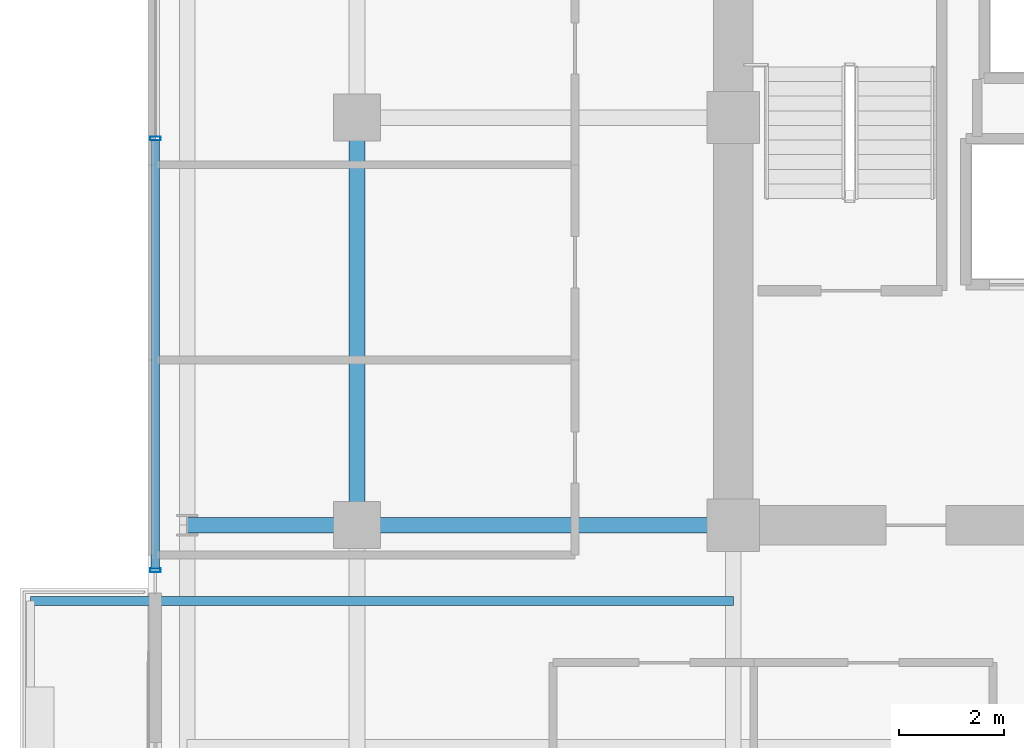
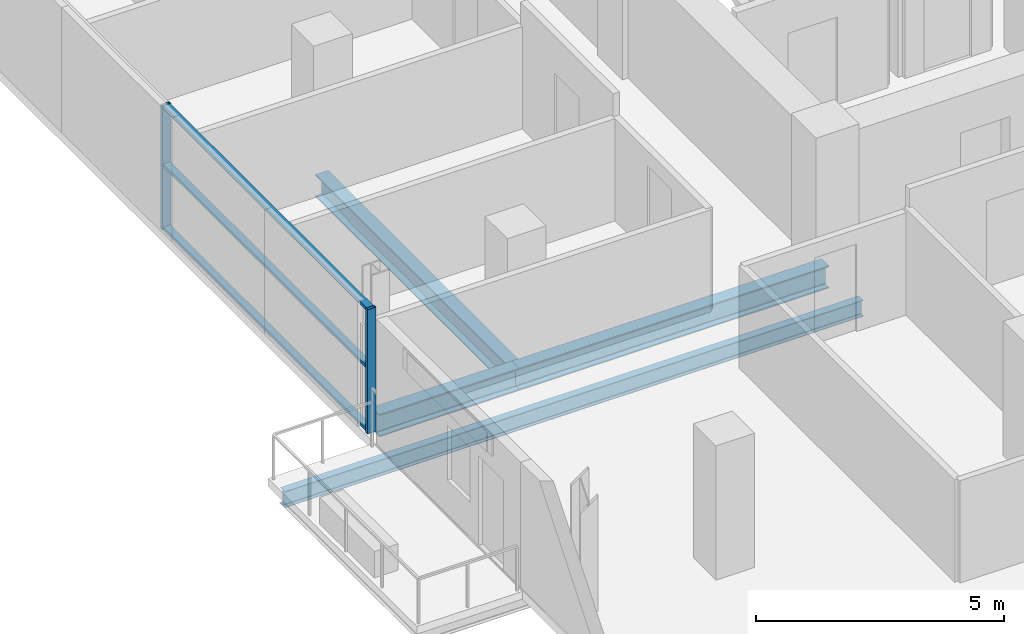
# One storey, part 5 of 23: 5 members, 4 beams, 1 element without a shape of its own.
"""IFC4 building model written with IfcOpenShell, lengths in metres."""

from ifc_helpers import new_model, si_unit, direction, frame, origin, origin_2d, place, context, subcontext, project, spatial, hollow_rectangle, i_section, extrude, source, transform, mapped, material, layer, layer_set, material_profile, profile_set, type_object, element, aggregate, save


model = new_model("IFC4")

# Units and contexts
model_context = context("Model", 3, precision=1e-05, world=origin(), true_north=direction((0.0, 1.0)))
body_context = subcontext(model_context, "Body", "Model", "MODEL_VIEW")
ifc_project = project(units=[si_unit("LENGTHUNIT", "METRE"), si_unit("AREAUNIT", "SQUARE_METRE"), si_unit("VOLUMEUNIT", "CUBIC_METRE"), si_unit("PLANEANGLEUNIT", "RADIAN"), si_unit("MASSUNIT", "GRAM", prefix="KILO")], contexts=[model_context])

# Site, building, storey
site_placement = place(None, origin())
site = spatial("IfcSite", under=ifc_project, at=site_placement, CompositionType="ELEMENT")
building_placement = place(site_placement, origin())
building = spatial("IfcBuilding", under=site, at=building_placement, Name="Zarnakvel Exchange Tower", CompositionType="ELEMENT")
storey_placement = place(building_placement, frame((0.0, 0.0, 116.5)))
storey = spatial("IfcBuildingStorey", under=building, at=storey_placement, Name="L32", CompositionType="ELEMENT", Elevation=116.5)

# Beams
ifc_material_1 = material(Name="Steel S355", Category="steel")
ifc_material_profile_1 = material_profile(ifc_material_1, i_section(OverallWidth=0.179931640625, OverallDepth=0.39990234375, WebThickness=0.008544921875, FlangeThickness=0.013427734375, FilletRadius=0.02099609375, at=origin_2d()))
ifc_profile_set_1 = profile_set([ifc_material_profile_1], Name="Steel S355")
beam_type_1 = type_object("IfcBeamType", Name="B-06", PredefinedType="JOIST", material=ifc_profile_set_1)
beam_1_placement = place(storey_placement, frame((-14.39990234375, -2.64990234375, -0.425048828125), z_axis=(-1.0, 0.0, 0.0), x_axis=(0.0, -1.0, 0.0)))
element("IfcBeam", 1, at=beam_1_placement, inside=storey, type_object=beam_type_1, Name="L32 Continuous West Loggia Beam N", PredefinedType="JOIST", context=body_context, shape_type="SweptSolid", body=[
    extrude(i_section(OverallWidth=0.179931640625, OverallDepth=0.39990234375, WebThickness=0.008544921875, FlangeThickness=0.013427734375, FilletRadius=0.02099609375, at=origin_2d()), origin(), (0.0, 0.0, 1.0), 13.4501953125),
])
ifc_material_profile_2 = material_profile(ifc_material_1, i_section(OverallWidth=0.300048828125, OverallDepth=0.550048828125, WebThickness=0.014892578125, FlangeThickness=0.029052734375, FilletRadius=0.027099609375, at=origin_2d()))
ifc_profile_set_2 = profile_set([ifc_material_profile_2], Name="Steel S355")
beam_type_2 = type_object("IfcBeamType", Name="G-05", PredefinedType="BEAM", material=ifc_profile_set_2)
beam_2_placement = place(storey_placement, frame((-24.85009765625, -1.199951171875, -0.5), z_axis=(1.0, 0.0, 0.0), x_axis=(0.0, 1.0, 0.0)))
element("IfcBeam", 2, at=beam_2_placement, inside=storey, type_object=beam_type_2, Name="L32 Tower E-W Frame Beam", PredefinedType="BEAM", context=body_context, shape_type="SweptSolid", body=[
    extrude(i_section(OverallWidth=0.300048828125, OverallDepth=0.550048828125, WebThickness=0.014892578125, FlangeThickness=0.029052734375, FilletRadius=0.027099609375, at=origin_2d()), origin(), (0.0, 0.0, 1.0), 3.25),
])
beam_3_placement = place(storey_placement, frame((-21.60009765625, -1.199951171875, -0.5), z_axis=(1.0, 0.0, 0.0), x_axis=(0.0, 1.0, 0.0)))
element("IfcBeam", 3, at=beam_3_placement, inside=storey, type_object=beam_type_2, Name="L32 Tower E-W Frame Beam", PredefinedType="BEAM", context=body_context, shape_type="SweptSolid", body=[
    extrude(i_section(OverallWidth=0.300048828125, OverallDepth=0.550048828125, WebThickness=0.014892578125, FlangeThickness=0.029052734375, FilletRadius=0.027099609375, at=origin_2d()), origin(), (0.0, 0.0, 1.0), 7.2001953125),
])
beam_4_placement = place(storey_placement, frame((-21.60009765625, -1.199951171875, -0.5), z_axis=(0.0, 1.0, 0.0), x_axis=(-1.0, 0.0, 0.0)))
element("IfcBeam", 4, at=beam_4_placement, inside=storey, type_object=beam_type_2, Name="L32 Tower N-S Frame Beam", PredefinedType="BEAM", context=body_context, shape_type="SweptSolid", body=[
    extrude(i_section(OverallWidth=0.300048828125, OverallDepth=0.550048828125, WebThickness=0.014892578125, FlangeThickness=0.029052734375, FilletRadius=0.027099609375, at=origin_2d()), origin(), (0.0, 0.0, 1.0), 7.800048828125),
])

# Curtain wall, members
ifc_material_2 = material(Name="Architectural Bronze Anodised Aluminium", Category="aluminium")
ifc_layer = layer(ifc_material_2, 0.199951171875)
ifc_layer_set = layer_set([ifc_layer], Name="Architectural Bronze Anodised Aluminium")
curtain_wall_type = type_object("IfcCurtainWallType", Name="CW-04", PredefinedType="NOTDEFINED", material=ifc_layer_set)
curtain_wall_placement = place(storey_placement, origin())
curtain_wall = element("IfcCurtainWall", 5, at=curtain_wall_placement, inside=storey, type_object=curtain_wall_type, Name="L32 Curtain Wall CW-L32-WN (CW-04)", PredefinedType="NOTDEFINED")
ifc_material_profile_3 = material_profile(ifc_material_2, hollow_rectangle(XDim=0.199951171875, YDim=0.074951171875, WallThickness=0.0048828125, at=origin_2d()))
ifc_profile_set_3 = profile_set([ifc_material_profile_3], Name="Architectural Bronze Anodised Aluminium")
member_type_1 = type_object("IfcMemberType", Name="CWM-04", PredefinedType="MULLION", material=ifc_profile_set_3)
shared_shape_1 = source(origin(), body_context, "Body", "SweptSolid", [
    extrude(hollow_rectangle(XDim=0.199951171875, YDim=0.074951171875, WallThickness=0.0048828125, at=origin_2d()), origin(), (0.0, 0.0, 1.0), 3.054931640625),
])
member_1_placement = place(storey_placement, frame((-25.4599609375, -2.0625, 0.0), z_axis=(0.0, 0.0, 1.0), x_axis=(-1.0, 0.0, 0.0)))
member_1 = element("IfcMember", 6, at=member_1_placement, type_object=member_type_1, Name="CW-04 mullion 1", PredefinedType="MULLION", context=body_context, shape_type="MappedRepresentation", body=[
    mapped(shared_shape_1, transform((0.0, 0.0, 0.0), x_axis=(1.0, 0.0, 0.0), y_axis=(0.0, 1.0, 0.0), z_axis=(0.0, 0.0, 1.0), scale=1.0)),
])
member_2_placement = place(storey_placement, frame((-25.4599609375, 6.199951171875, 0.0), z_axis=(0.0, 0.0, 1.0), x_axis=(-1.0, 0.0, 0.0)))
member_2 = element("IfcMember", 7, at=member_2_placement, type_object=member_type_1, Name="CW-04 mullion 2", PredefinedType="MULLION", context=body_context, shape_type="MappedRepresentation", body=[
    mapped(shared_shape_1, transform((0.0, 0.0, 0.0), x_axis=(1.0, 0.0, 0.0), y_axis=(0.0, 1.0, 0.0), z_axis=(0.0, 0.0, 1.0), scale=1.0)),
])
ifc_material_profile_4 = material_profile(ifc_material_2, hollow_rectangle(XDim=0.159912109375, YDim=0.074951171875, WallThickness=0.00390625, at=origin_2d()))
ifc_profile_set_4 = profile_set([ifc_material_profile_4], Name="Architectural Bronze Anodised Aluminium")
member_type_2 = type_object("IfcMemberType", Name="CWT-04", PredefinedType="USERDEFINED", material=ifc_profile_set_4)
shared_shape_2 = source(origin(), body_context, "Body", "SweptSolid", [
    extrude(hollow_rectangle(XDim=0.159912109375, YDim=0.074951171875, WallThickness=0.00390625, at=origin_2d()), origin(), (0.0, 0.0, 1.0), 8.1875),
])
member_3_placement = place(storey_placement, frame((-25.4599609375, -2.02490234375, 0.03759765625), z_axis=(0.0, 1.0, 0.0), x_axis=(-1.0, 0.0, 0.0)))
member_3 = element("IfcMember", 8, at=member_3_placement, type_object=member_type_2, Name="CW-04 transom 1.1", ObjectType="TRANSOM", PredefinedType="USERDEFINED", context=body_context, shape_type="MappedRepresentation", body=[
    mapped(shared_shape_2, transform((0.0, 0.0, 0.0), x_axis=(1.0, 0.0, 0.0), y_axis=(0.0, 1.0, 0.0), z_axis=(0.0, 0.0, 1.0), scale=1.0)),
])
member_4_placement = place(storey_placement, frame((-25.4599609375, -2.02490234375, 1.588623046875), z_axis=(0.0, 1.0, 0.0), x_axis=(-1.0, 0.0, 0.0)))
member_4 = element("IfcMember", 9, at=member_4_placement, type_object=member_type_2, Name="CW-04 transom 1.2", ObjectType="TRANSOM", PredefinedType="USERDEFINED", context=body_context, shape_type="MappedRepresentation", body=[
    mapped(shared_shape_2, transform((0.0, 0.0, 0.0), x_axis=(1.0, 0.0, 0.0), y_axis=(0.0, 1.0, 0.0), z_axis=(0.0, 0.0, 1.0), scale=1.0)),
])
member_5_placement = place(storey_placement, frame((-25.4599609375, -2.02490234375, 3.017578125), z_axis=(0.0, 1.0, 0.0), x_axis=(-1.0, 0.0, 0.0)))
member_5 = element("IfcMember", 10, at=member_5_placement, type_object=member_type_2, Name="CW-04 transom 1.3", ObjectType="TRANSOM", PredefinedType="USERDEFINED", context=body_context, shape_type="MappedRepresentation", body=[
    mapped(shared_shape_2, transform((0.0, 0.0, 0.0), x_axis=(1.0, 0.0, 0.0), y_axis=(0.0, 1.0, 0.0), z_axis=(0.0, 0.0, 1.0), scale=1.0)),
])
aggregate(curtain_wall, [member_1, member_2, member_3, member_4, member_5])

save(model, "model.ifc")
